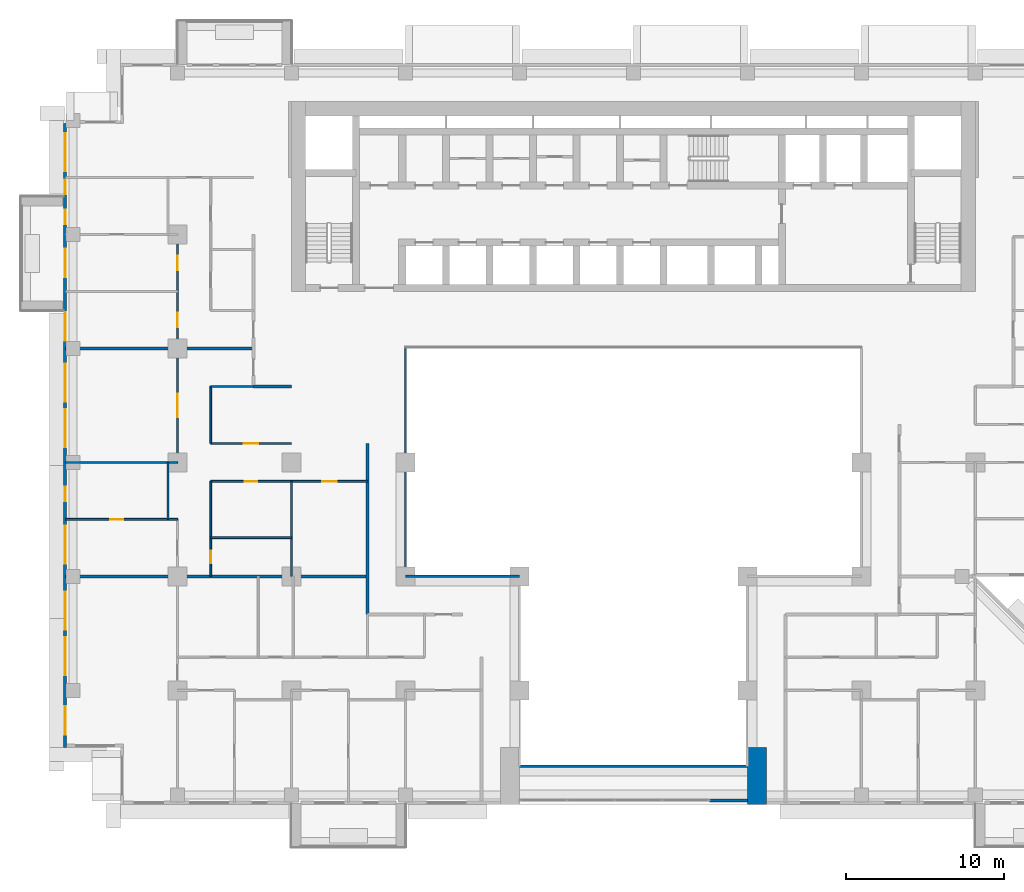
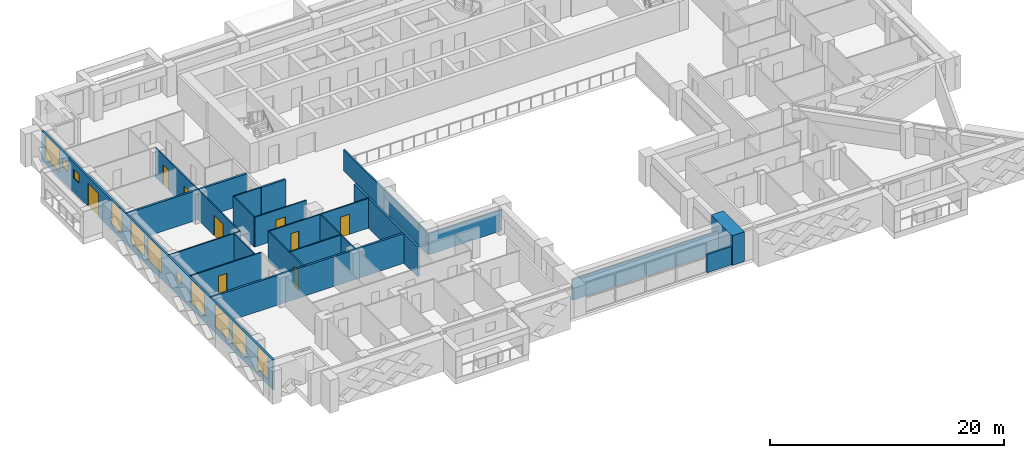
# One storey, part 7 of 17: 21 walls, 11 windows, 9 doors, 20 openings.
"""IFC4 building model written with IfcOpenShell, lengths in metres."""

from ifc_helpers import new_model, si_unit, direction, frame, frame_2d, origin, place, context, subcontext, project, spatial, rectangle, extrude, material, layer, layer_set, type_object, element, fill, save


model = new_model("IFC4")

# Units and contexts
model_context = context("Model", 3, precision=1e-05, world=origin(), true_north=direction((0.0, 1.0)))
body_context = subcontext(model_context, "Body", "Model", "MODEL_VIEW")
ifc_project = project(units=[si_unit("LENGTHUNIT", "METRE"), si_unit("AREAUNIT", "SQUARE_METRE"), si_unit("VOLUMEUNIT", "CUBIC_METRE"), si_unit("PLANEANGLEUNIT", "RADIAN"), si_unit("MASSUNIT", "GRAM", prefix="KILO")], contexts=[model_context])

# Site, building, storey
site_placement = place(None, origin())
site = spatial("IfcSite", under=ifc_project, at=site_placement, CompositionType="ELEMENT")
building_placement = place(site_placement, origin())
building = spatial("IfcBuilding", under=site, at=building_placement, Name="Saffron Iwan Residences", CompositionType="ELEMENT")
storey_placement = place(building_placement, frame((0.0, 0.0, 104.0)))
storey = spatial("IfcBuildingStorey", under=building, at=storey_placement, Name="L27", CompositionType="ELEMENT", Elevation=104.0)

# Walls
ifc_material_1 = material(Name="Fire-rated glazing", Category="glass")
ifc_layer_1 = layer(ifc_material_1, 0.14990234375)
ifc_layer_set_1 = layer_set([ifc_layer_1], Name="Fire-rated glazing")
wall_type_1 = type_object("IfcWallType", Name="Atrium glazed screen 150", PredefinedType="SOLIDWALL", material=ifc_layer_set_1)
wall_1_placement = place(storey_placement, frame((43.199951171875, 36.0, 0.0), z_axis=(0.0, 0.0, 1.0), x_axis=(1.0, 0.0, 0.0)))
element("IfcWall", 1, at=wall_1_placement, inside=storey, type_object=wall_type_1, Name="W-L27-SCREEN-h36-43.2", PredefinedType="SOLIDWALL", context=body_context, shape_type="SweptSolid", body=[
    extrude(rectangle(XDim=14.400146484375, YDim=0.14990234375, at=frame_2d((7.2001953125, 0.0))), origin(), (0.0, 0.0, 1.0), 2.199951171875),
])
wall_2_placement = place(storey_placement, frame((36.0, 48.0, 0.0), z_axis=(0.0, 0.0, 1.0), x_axis=(1.0, 0.0, 0.0)))
element("IfcWall", 2, at=wall_2_placement, inside=storey, type_object=wall_type_1, Name="W-L27-SCREEN-h48-36", PredefinedType="SOLIDWALL", context=body_context, shape_type="SweptSolid", body=[
    extrude(rectangle(XDim=7.199951171875, YDim=0.14990234375, at=frame_2d((3.60009765625, 0.0))), origin(), (0.0, 0.0, 1.0), 2.199951171875),
])
wall_3_placement = place(storey_placement, frame((36.0, 48.0, 0.0), z_axis=(0.0, 0.0, 1.0), x_axis=(0.0, 1.0, 0.0)))
element("IfcWall", 3, at=wall_3_placement, inside=storey, type_object=wall_type_1, Name="W-L27-SCREEN-v36-48", PredefinedType="SOLIDWALL", context=body_context, shape_type="SweptSolid", body=[
    extrude(rectangle(XDim=14.39990234375, YDim=0.14990234375, at=frame_2d((7.199951171875, 0.0))), origin(), (0.0, 0.0, 1.0), 2.199951171875),
])

# Wall, openings, door, windows
ifc_material_2 = material(Name="Concrete C40/50", Category="concrete")
ifc_layer_2 = layer(ifc_material_2, 0.199951171875)
ifc_layer_set_2 = layer_set([ifc_layer_2], Name="Concrete C40/50")
wall_type_2 = type_object("IfcWallType", Name="EXTERNAL WALL 200", PredefinedType="SOLIDWALL", material=ifc_layer_set_2)
wall_4_placement = place(storey_placement, frame((14.5, 76.60009765625, 0.0), z_axis=(0.0, 0.0, 1.0), x_axis=(0.0, -1.0, 0.0)))
wall_4 = element("IfcWall", 4, at=wall_4_placement, inside=storey, type_object=wall_type_2, Name="External wall L27 F8.0", PredefinedType="SOLIDWALL", context=body_context, shape_type="SweptSolid", body=[
    extrude(rectangle(XDim=39.400146484375, YDim=0.199951171875, at=frame_2d((19.7001953125, 0.0))), origin(), (0.0, 0.0, 1.0), 3.10009765625),
])
opening_1_placement = place(wall_4_placement, frame((7.89990234375, 0.0, 0.0)))
opening_1 = element("IfcOpeningElement", 5, at=opening_1_placement, cuts=wall_4, Name="Opening BD1", PredefinedType="OPENING", context=body_context, shape_type="SweptSolid", body=[
    extrude(rectangle(XDim=1.800048828125, YDim=2.39990234375, at=frame_2d((0.89990234375, 1.199951171875))), frame((0.0, 0.10986328125, 0.0), z_axis=(0.0, -1.0, 0.0), x_axis=(1.0, 0.0, 0.0)), (0.0, 0.0, 1.0), 0.219970703125),
])
opening_2_placement = place(wall_4_placement, frame((29.566650390625, 0.0, 0.60009765625)))
opening_2 = element("IfcOpeningElement", 6, at=opening_2_placement, cuts=wall_4, Name="Opening W1", PredefinedType="OPENING", context=body_context, shape_type="SweptSolid", body=[
    extrude(rectangle(XDim=2.39990234375, YDim=2.39990234375, at=frame_2d((1.199951171875, 1.199951171875))), frame((0.0, 0.10986328125, 0.0), z_axis=(0.0, -1.0, 0.0), x_axis=(1.0, 0.0, 0.0)), (0.0, 0.0, 1.0), 0.219970703125),
])
opening_3_placement = place(wall_4_placement, frame((32.433349609375, 0.0, 0.60009765625)))
opening_3 = element("IfcOpeningElement", 7, at=opening_3_placement, cuts=wall_4, Name="Opening W1", PredefinedType="OPENING", context=body_context, shape_type="SweptSolid", body=[
    extrude(rectangle(XDim=2.39990234375, YDim=2.39990234375, at=frame_2d((1.199951171875, 1.199951171875))), frame((0.0, 0.10986328125, 0.0), z_axis=(0.0, -1.0, 0.0), x_axis=(1.0, 0.0, 0.0)), (0.0, 0.0, 1.0), 0.219970703125),
])
opening_4_placement = place(wall_4_placement, frame((36.800048828125, 0.0, 0.60009765625)))
opening_4 = element("IfcOpeningElement", 8, at=opening_4_placement, cuts=wall_4, Name="Opening W8", PredefinedType="OPENING", context=body_context, shape_type="SweptSolid", body=[
    extrude(rectangle(XDim=1.800048828125, YDim=2.39990234375, at=frame_2d((0.89990234375, 1.199951171875))), frame((0.0, 0.10986328125, 0.0), z_axis=(0.0, -1.0, 0.0), x_axis=(1.0, 0.0, 0.0)), (0.0, 0.0, 1.0), 0.219970703125),
])
opening_5_placement = place(wall_4_placement, frame((25.39990234375, 0.0, 0.60009765625)))
opening_5 = element("IfcOpeningElement", 9, at=opening_5_placement, cuts=wall_4, Name="Opening W1", PredefinedType="OPENING", context=body_context, shape_type="SweptSolid", body=[
    extrude(rectangle(XDim=2.39990234375, YDim=2.39990234375, at=frame_2d((1.199951171875, 1.199951171875))), frame((0.0, 0.10986328125, 0.0), z_axis=(0.0, -1.0, 0.0), x_axis=(1.0, 0.0, 0.0)), (0.0, 0.0, 1.0), 0.219970703125),
])
opening_6_placement = place(wall_4_placement, frame((22.949951171875, 0.0, 1.5)))
opening_6 = element("IfcOpeningElement", 10, at=opening_6_placement, cuts=wall_4, Name="Opening W6", PredefinedType="OPENING", context=body_context, shape_type="SweptSolid", body=[
    extrude(rectangle(XDim=0.89990234375, YDim=0.89990234375, at=frame_2d((0.449951171875, 0.449951171875))), frame((0.0, 0.10986328125, 0.0), z_axis=(0.0, -1.0, 0.0), x_axis=(1.0, 0.0, 0.0)), (0.0, 0.0, 1.0), 0.219970703125),
])
opening_7_placement = place(wall_4_placement, frame((15.166748046875, 0.0, 0.60009765625)))
opening_7 = element("IfcOpeningElement", 11, at=opening_7_placement, cuts=wall_4, Name="Opening W1", PredefinedType="OPENING", context=body_context, shape_type="SweptSolid", body=[
    extrude(rectangle(XDim=2.39990234375, YDim=2.39990234375, at=frame_2d((1.199951171875, 1.199951171875))), frame((0.0, 0.10986328125, 0.0), z_axis=(0.0, -1.0, 0.0), x_axis=(1.0, 0.0, 0.0)), (0.0, 0.0, 1.0), 0.219970703125),
])
opening_8_placement = place(wall_4_placement, frame((18.033203125, 0.0, 0.60009765625)))
opening_8 = element("IfcOpeningElement", 12, at=opening_8_placement, cuts=wall_4, Name="Opening W1", PredefinedType="OPENING", context=body_context, shape_type="SweptSolid", body=[
    extrude(rectangle(XDim=2.39990234375, YDim=2.39990234375, at=frame_2d((1.199951171875, 1.199951171875))), frame((0.0, 0.10986328125, 0.0), z_axis=(0.0, -1.0, 0.0), x_axis=(1.0, 0.0, 0.0)), (0.0, 0.0, 1.0), 0.219970703125),
])
opening_9_placement = place(wall_4_placement, frame((11.89990234375, 0.0, 0.60009765625)))
opening_9 = element("IfcOpeningElement", 13, at=opening_9_placement, cuts=wall_4, Name="Opening W8", PredefinedType="OPENING", context=body_context, shape_type="SweptSolid", body=[
    extrude(rectangle(XDim=1.800048828125, YDim=2.39990234375, at=frame_2d((0.89990234375, 1.199951171875))), frame((0.0, 0.10986328125, 0.0), z_axis=(0.0, -1.0, 0.0), x_axis=(1.0, 0.0, 0.0)), (0.0, 0.0, 1.0), 0.219970703125),
])
opening_10_placement = place(wall_4_placement, frame((3.550048828125, 0.0, 1.5)))
opening_10 = element("IfcOpeningElement", 14, at=opening_10_placement, cuts=wall_4, Name="Opening W6", PredefinedType="OPENING", context=body_context, shape_type="SweptSolid", body=[
    extrude(rectangle(XDim=0.89990234375, YDim=0.89990234375, at=frame_2d((0.449951171875, 0.449951171875))), frame((0.0, 0.10986328125, 0.0), z_axis=(0.0, -1.0, 0.0), x_axis=(1.0, 0.0, 0.0)), (0.0, 0.0, 1.0), 0.219970703125),
])
opening_11_placement = place(wall_4_placement, frame((5.449951171875, 0.0, 1.5)))
opening_11 = element("IfcOpeningElement", 15, at=opening_11_placement, cuts=wall_4, Name="Opening W6", PredefinedType="OPENING", context=body_context, shape_type="SweptSolid", body=[
    extrude(rectangle(XDim=0.89990234375, YDim=0.89990234375, at=frame_2d((0.449951171875, 0.449951171875))), frame((0.0, 0.10986328125, 0.0), z_axis=(0.0, -1.0, 0.0), x_axis=(1.0, 0.0, 0.0)), (0.0, 0.0, 1.0), 0.219970703125),
])
opening_12_placement = place(wall_4_placement, frame((0.60009765625, 0.0, 0.60009765625)))
opening_12 = element("IfcOpeningElement", 16, at=opening_12_placement, cuts=wall_4, Name="Opening W1", PredefinedType="OPENING", context=body_context, shape_type="SweptSolid", body=[
    extrude(rectangle(XDim=2.39990234375, YDim=2.39990234375, at=frame_2d((1.199951171875, 1.199951171875))), frame((0.0, 0.10986328125, 0.0), z_axis=(0.0, -1.0, 0.0), x_axis=(1.0, 0.0, 0.0)), (0.0, 0.0, 1.0), 0.219970703125),
])
ifc_material_3 = material(Name="Clear glass, laminated double glazed", Category="glass")
door_type_1 = type_object("IfcDoorType", Name="BALCONY DOOR 1800 x 2400", OperationType="DOUBLE_DOOR_SLIDING", PredefinedType="DOOR", material=ifc_material_3)
door_1_placement = place(opening_1_placement, origin())
door_1 = element("IfcDoor", 17, at=door_1_placement, inside=storey, type_object=door_type_1, Name="Balcony door L27 F8.0", OperationType="DOUBLE_DOOR_SLIDING", OverallHeight=2.39990234375, OverallWidth=1.800048828125, PredefinedType="DOOR", context=body_context, shape_type="SweptSolid", body=[
    extrude(rectangle(XDim=1.800048828125, YDim=2.39990234375, at=frame_2d((0.89990234375, 1.199951171875))), frame((0.0, 0.02490234375, 0.0), z_axis=(0.0, -1.0, 0.0), x_axis=(1.0, 0.0, 0.0)), (0.0, 0.0, 1.0), 0.050048828125),
])
fill(opening_1, door_1)
window_type_1 = type_object("IfcWindowType", Name="WINDOW 1800 x 2400", PartitioningType="DOUBLE_PANEL_VERTICAL", PredefinedType="WINDOW", material=ifc_material_3)
window_1_placement = place(opening_4_placement, origin())
window_1 = element("IfcWindow", 18, at=window_1_placement, inside=storey, type_object=window_type_1, Name="Window L27 F8.3", OverallHeight=2.39990234375, OverallWidth=1.800048828125, PartitioningType="DOUBLE_PANEL_VERTICAL", PredefinedType="WINDOW", context=body_context, shape_type="SweptSolid", body=[
    extrude(rectangle(XDim=1.800048828125, YDim=2.39990234375, at=frame_2d((0.89990234375, 1.199951171875))), frame((0.0, 0.030029296875, 0.0), z_axis=(0.0, -1.0, 0.0), x_axis=(1.0, 0.0, 0.0)), (0.0, 0.0, 1.0), 0.06005859375),
])
fill(opening_4, window_1)
window_2_placement = place(opening_9_placement, origin())
window_2 = element("IfcWindow", 19, at=window_2_placement, inside=storey, type_object=window_type_1, Name="Window L27 F8.8", OverallHeight=2.39990234375, OverallWidth=1.800048828125, PartitioningType="DOUBLE_PANEL_VERTICAL", PredefinedType="WINDOW", context=body_context, shape_type="SweptSolid", body=[
    extrude(rectangle(XDim=1.800048828125, YDim=2.39990234375, at=frame_2d((0.89990234375, 1.199951171875))), frame((0.0, 0.030029296875, 0.0), z_axis=(0.0, -1.0, 0.0), x_axis=(1.0, 0.0, 0.0)), (0.0, 0.0, 1.0), 0.06005859375),
])
fill(opening_9, window_2)
window_type_2 = type_object("IfcWindowType", Name="WINDOW 2400 x 2400", PartitioningType="DOUBLE_PANEL_VERTICAL", PredefinedType="WINDOW", material=ifc_material_3)
window_3_placement = place(opening_2_placement, origin())
window_3 = element("IfcWindow", 20, at=window_3_placement, inside=storey, type_object=window_type_2, Name="Window L27 F8.1", OverallHeight=2.39990234375, OverallWidth=2.39990234375, PartitioningType="DOUBLE_PANEL_VERTICAL", PredefinedType="WINDOW", context=body_context, shape_type="SweptSolid", body=[
    extrude(rectangle(XDim=2.39990234375, YDim=2.39990234375, at=frame_2d((1.199951171875, 1.199951171875))), frame((0.0, 0.030029296875, 0.0), z_axis=(0.0, -1.0, 0.0), x_axis=(1.0, 0.0, 0.0)), (0.0, 0.0, 1.0), 0.06005859375),
])
fill(opening_2, window_3)
window_4_placement = place(opening_3_placement, origin())
window_4 = element("IfcWindow", 21, at=window_4_placement, inside=storey, type_object=window_type_2, Name="Window L27 F8.2", OverallHeight=2.39990234375, OverallWidth=2.39990234375, PartitioningType="DOUBLE_PANEL_VERTICAL", PredefinedType="WINDOW", context=body_context, shape_type="SweptSolid", body=[
    extrude(rectangle(XDim=2.39990234375, YDim=2.39990234375, at=frame_2d((1.199951171875, 1.199951171875))), frame((0.0, 0.030029296875, 0.0), z_axis=(0.0, -1.0, 0.0), x_axis=(1.0, 0.0, 0.0)), (0.0, 0.0, 1.0), 0.06005859375),
])
fill(opening_3, window_4)
window_5_placement = place(opening_5_placement, origin())
window_5 = element("IfcWindow", 22, at=window_5_placement, inside=storey, type_object=window_type_2, Name="Window L27 F8.4", OverallHeight=2.39990234375, OverallWidth=2.39990234375, PartitioningType="DOUBLE_PANEL_VERTICAL", PredefinedType="WINDOW", context=body_context, shape_type="SweptSolid", body=[
    extrude(rectangle(XDim=2.39990234375, YDim=2.39990234375, at=frame_2d((1.199951171875, 1.199951171875))), frame((0.0, 0.030029296875, 0.0), z_axis=(0.0, -1.0, 0.0), x_axis=(1.0, 0.0, 0.0)), (0.0, 0.0, 1.0), 0.06005859375),
])
fill(opening_5, window_5)
window_6_placement = place(opening_7_placement, origin())
window_6 = element("IfcWindow", 23, at=window_6_placement, inside=storey, type_object=window_type_2, Name="Window L27 F8.6", OverallHeight=2.39990234375, OverallWidth=2.39990234375, PartitioningType="DOUBLE_PANEL_VERTICAL", PredefinedType="WINDOW", context=body_context, shape_type="SweptSolid", body=[
    extrude(rectangle(XDim=2.39990234375, YDim=2.39990234375, at=frame_2d((1.199951171875, 1.199951171875))), frame((0.0, 0.030029296875, 0.0), z_axis=(0.0, -1.0, 0.0), x_axis=(1.0, 0.0, 0.0)), (0.0, 0.0, 1.0), 0.06005859375),
])
fill(opening_7, window_6)
window_7_placement = place(opening_8_placement, origin())
window_7 = element("IfcWindow", 24, at=window_7_placement, inside=storey, type_object=window_type_2, Name="Window L27 F8.7", OverallHeight=2.39990234375, OverallWidth=2.39990234375, PartitioningType="DOUBLE_PANEL_VERTICAL", PredefinedType="WINDOW", context=body_context, shape_type="SweptSolid", body=[
    extrude(rectangle(XDim=2.39990234375, YDim=2.39990234375, at=frame_2d((1.199951171875, 1.199951171875))), frame((0.0, 0.030029296875, 0.0), z_axis=(0.0, -1.0, 0.0), x_axis=(1.0, 0.0, 0.0)), (0.0, 0.0, 1.0), 0.06005859375),
])
fill(opening_8, window_7)
window_8_placement = place(opening_12_placement, origin())
window_8 = element("IfcWindow", 25, at=window_8_placement, inside=storey, type_object=window_type_2, Name="Window L27 F8.11", OverallHeight=2.39990234375, OverallWidth=2.39990234375, PartitioningType="DOUBLE_PANEL_VERTICAL", PredefinedType="WINDOW", context=body_context, shape_type="SweptSolid", body=[
    extrude(rectangle(XDim=2.39990234375, YDim=2.39990234375, at=frame_2d((1.199951171875, 1.199951171875))), frame((0.0, 0.030029296875, 0.0), z_axis=(0.0, -1.0, 0.0), x_axis=(1.0, 0.0, 0.0)), (0.0, 0.0, 1.0), 0.06005859375),
])
fill(opening_12, window_8)
window_type_3 = type_object("IfcWindowType", Name="WINDOW 900 x 900 BATH", PartitioningType="SINGLE_PANEL", PredefinedType="WINDOW", material=ifc_material_3)
window_9_placement = place(opening_6_placement, origin())
window_9 = element("IfcWindow", 26, at=window_9_placement, inside=storey, type_object=window_type_3, Name="Window L27 F8.5", OverallHeight=0.89990234375, OverallWidth=0.89990234375, PartitioningType="SINGLE_PANEL", PredefinedType="WINDOW", context=body_context, shape_type="SweptSolid", body=[
    extrude(rectangle(XDim=0.89990234375, YDim=0.89990234375, at=frame_2d((0.449951171875, 0.449951171875))), frame((0.0, 0.030029296875, 0.0), z_axis=(0.0, -1.0, 0.0), x_axis=(1.0, 0.0, 0.0)), (0.0, 0.0, 1.0), 0.06005859375),
])
fill(opening_6, window_9)
window_10_placement = place(opening_10_placement, origin())
window_10 = element("IfcWindow", 27, at=window_10_placement, inside=storey, type_object=window_type_3, Name="Window L27 F8.9", OverallHeight=0.89990234375, OverallWidth=0.89990234375, PartitioningType="SINGLE_PANEL", PredefinedType="WINDOW", context=body_context, shape_type="SweptSolid", body=[
    extrude(rectangle(XDim=0.89990234375, YDim=0.89990234375, at=frame_2d((0.449951171875, 0.449951171875))), frame((0.0, 0.030029296875, 0.0), z_axis=(0.0, -1.0, 0.0), x_axis=(1.0, 0.0, 0.0)), (0.0, 0.0, 1.0), 0.06005859375),
])
fill(opening_10, window_10)
window_11_placement = place(opening_11_placement, origin())
window_11 = element("IfcWindow", 28, at=window_11_placement, inside=storey, type_object=window_type_3, Name="Window L27 F8.10", OverallHeight=0.89990234375, OverallWidth=0.89990234375, PartitioningType="SINGLE_PANEL", PredefinedType="WINDOW", context=body_context, shape_type="SweptSolid", body=[
    extrude(rectangle(XDim=0.89990234375, YDim=0.89990234375, at=frame_2d((0.449951171875, 0.449951171875))), frame((0.0, 0.030029296875, 0.0), z_axis=(0.0, -1.0, 0.0), x_axis=(1.0, 0.0, 0.0)), (0.0, 0.0, 1.0), 0.06005859375),
])
fill(opening_11, window_11)

# Walls
wall_5_placement = place(storey_placement, frame((55.199951171875, 33.85009765625, 0.0), z_axis=(0.0, 0.0, 1.0), x_axis=(1.0, 0.0, 0.0)))
element("IfcWall", 29, at=wall_5_placement, inside=storey, type_object=wall_type_2, Name="External wall infill CWB-L27-0", PredefinedType="SOLIDWALL", context=body_context, shape_type="SweptSolid", body=[
    extrude(rectangle(XDim=2.400146484375, YDim=0.199951171875, at=frame_2d((1.2001953125, 0.0))), origin(), (0.0, 0.0, 1.0), 1.89990234375),
])
ifc_material_4 = material(Name="Fire-rated gypsum board wall")
ifc_layer_3 = layer(ifc_material_4, 0.199951171875)
ifc_layer_set_3 = layer_set([ifc_layer_3], Name="Fire-rated gypsum board wall")
wall_type_3 = type_object("IfcWallType", Name="Flat demising wall 200", PredefinedType="SOLIDWALL", material=ifc_layer_set_3)
wall_6_placement = place(storey_placement, frame((14.52490234375, 48.0, 0.0), z_axis=(0.0, 0.0, 1.0), x_axis=(1.0, 0.0, 0.0)))
element("IfcWall", 30, at=wall_6_placement, inside=storey, type_object=wall_type_3, Name="W-L27-DEMISE-h48-14.525", PredefinedType="SOLIDWALL", context=body_context, shape_type="SweptSolid", body=[
    extrude(rectangle(XDim=19.0751953125, YDim=0.199951171875, at=frame_2d((9.53759765625, 0.0))), origin(), (0.0, 0.0, 1.0), 3.10009765625),
])
wall_7_placement = place(storey_placement, frame((14.52490234375, 62.39990234375, 0.0), z_axis=(0.0, 0.0, 1.0), x_axis=(1.0, 0.0, 0.0)))
element("IfcWall", 31, at=wall_7_placement, inside=storey, type_object=wall_type_3, Name="W-L27-DEMISE-h62.4-14.525", PredefinedType="SOLIDWALL", context=body_context, shape_type="SweptSolid", body=[
    extrude(rectangle(XDim=11.875, YDim=0.199951171875, at=frame_2d((5.9375, 0.0))), origin(), (0.0, 0.0, 1.0), 3.10009765625),
])
ifc_material_5 = material(Name="Gypsum board partition")
ifc_layer_4 = layer(ifc_material_5, 0.1201171875)
ifc_layer_set_4 = layer_set([ifc_layer_4], Name="Gypsum board partition")
wall_type_4 = type_object("IfcWallType", Name="Flat partition 120", PredefinedType="PARTITIONING", material=ifc_layer_set_4)
wall_8_placement = place(storey_placement, frame((23.699951171875, 50.449951171875, 0.0), z_axis=(0.0, 0.0, 1.0), x_axis=(1.0, 0.0, 0.0)))
element("IfcWall", 32, at=wall_8_placement, inside=storey, type_object=wall_type_4, Name="W-L27-PART-h50.45-23.7", PredefinedType="PARTITIONING", context=body_context, shape_type="SweptSolid", body=[
    extrude(rectangle(XDim=5.10009765625, YDim=0.1201171875, at=frame_2d((2.550048828125, 0.0))), origin(), (0.0, 0.0, 1.0), 3.10009765625),
])

# Wall, opening, door
wall_9_placement = place(storey_placement, frame((14.52490234375, 51.60009765625, 0.0), z_axis=(0.0, 0.0, 1.0), x_axis=(1.0, 0.0, 0.0)))
wall_9 = element("IfcWall", 33, at=wall_9_placement, inside=storey, type_object=wall_type_4, Name="W-L27-PART-h51.6-14.525", PredefinedType="PARTITIONING", context=body_context, shape_type="SweptSolid", body=[
    extrude(rectangle(XDim=7.0751953125, YDim=0.1201171875, at=frame_2d((3.53759765625, 0.0))), origin(), (0.0, 0.0, 1.0), 3.10009765625),
])
opening_13_placement = place(wall_9_placement, frame((2.83740234375, 0.0, 0.0)))
opening_13 = element("IfcOpeningElement", 34, at=opening_13_placement, cuts=wall_9, Name="Opening FD3", PredefinedType="OPENING", context=body_context, shape_type="SweptSolid", body=[
    extrude(rectangle(XDim=0.800048828125, YDim=2.10009765625, at=frame_2d((0.39990234375, 1.050048828125))), frame((0.0, 0.070068359375, 0.0), z_axis=(0.0, -1.0, 0.0), x_axis=(1.0, 0.0, 0.0)), (0.0, 0.0, 1.0), 0.14013671875),
])
ifc_material_6 = material(Name="Timber door", Category="wood")
door_type_2 = type_object("IfcDoorType", Name="Bathroom door 800", OperationType="NOTDEFINED", PredefinedType="DOOR", material=ifc_material_6)
door_2_placement = place(opening_13_placement, origin())
door_2 = element("IfcDoor", 35, at=door_2_placement, inside=storey, type_object=door_type_2, Name="Door L27-014", OperationType="SINGLE_SWING_LEFT", OverallHeight=2.10009765625, OverallWidth=0.800048828125, PredefinedType="DOOR", context=body_context, shape_type="SweptSolid", body=[
    extrude(rectangle(XDim=0.800048828125, YDim=2.10009765625, at=frame_2d((0.39990234375, 1.050048828125))), frame((0.0, 0.02490234375, 0.0), z_axis=(0.0, -1.0, 0.0), x_axis=(1.0, 0.0, 0.0)), (0.0, 0.0, 1.0), 0.050048828125),
])
fill(opening_13, door_2)

# Wall, openings, doors
wall_10_placement = place(storey_placement, frame((23.699951171875, 54.0, 0.0), z_axis=(0.0, 0.0, 1.0), x_axis=(1.0, 0.0, 0.0)))
wall_10 = element("IfcWall", 36, at=wall_10_placement, inside=storey, type_object=wall_type_4, Name="W-L27-PART-h54-23.7", PredefinedType="PARTITIONING", context=body_context, shape_type="SweptSolid", body=[
    extrude(rectangle(XDim=9.900146484375, YDim=0.1201171875, at=frame_2d((4.9501953125, 0.0))), origin(), (0.0, 0.0, 1.0), 3.10009765625),
])
opening_14_placement = place(wall_10_placement, frame((2.14990234375, 0.0, 0.0)))
opening_14 = element("IfcOpeningElement", 37, at=opening_14_placement, cuts=wall_10, Name="Opening FD3", PredefinedType="OPENING", context=body_context, shape_type="SweptSolid", body=[
    extrude(rectangle(XDim=0.800048828125, YDim=2.10009765625, at=frame_2d((0.39990234375, 1.050048828125))), frame((0.0, 0.070068359375, 0.0), z_axis=(0.0, -1.0, 0.0), x_axis=(1.0, 0.0, 0.0)), (0.0, 0.0, 1.0), 0.14013671875),
])
opening_15_placement = place(wall_10_placement, frame((7.050048828125, 0.0, 0.0)))
opening_15 = element("IfcOpeningElement", 38, at=opening_15_placement, cuts=wall_10, Name="Opening FD2", PredefinedType="OPENING", context=body_context, shape_type="SweptSolid", body=[
    extrude(rectangle(XDim=0.89990234375, YDim=2.10009765625, at=frame_2d((0.449951171875, 1.050048828125))), frame((0.0, 0.070068359375, 0.0), z_axis=(0.0, -1.0, 0.0), x_axis=(1.0, 0.0, 0.0)), (0.0, 0.0, 1.0), 0.14013671875),
])
door_3_placement = place(opening_14_placement, origin())
door_3 = element("IfcDoor", 39, at=door_3_placement, inside=storey, type_object=door_type_2, Name="Door L27-017", OperationType="SINGLE_SWING_LEFT", OverallHeight=2.10009765625, OverallWidth=0.800048828125, PredefinedType="DOOR", context=body_context, shape_type="SweptSolid", body=[
    extrude(rectangle(XDim=0.800048828125, YDim=2.10009765625, at=frame_2d((0.39990234375, 1.050048828125))), frame((0.0, 0.02490234375, 0.0), z_axis=(0.0, -1.0, 0.0), x_axis=(1.0, 0.0, 0.0)), (0.0, 0.0, 1.0), 0.050048828125),
])
fill(opening_14, door_3)
door_type_3 = type_object("IfcDoorType", Name="Flat door 900", OperationType="NOTDEFINED", PredefinedType="DOOR", material=ifc_material_6)
door_4_placement = place(opening_15_placement, origin())
door_4 = element("IfcDoor", 40, at=door_4_placement, inside=storey, type_object=door_type_3, Name="Door L27-019", OperationType="SINGLE_SWING_RIGHT", OverallHeight=2.10009765625, OverallWidth=0.89990234375, PredefinedType="DOOR", context=body_context, shape_type="SweptSolid", body=[
    extrude(rectangle(XDim=0.89990234375, YDim=2.10009765625, at=frame_2d((0.449951171875, 1.050048828125))), frame((0.0, 0.02490234375, 0.0), z_axis=(0.0, -1.0, 0.0), x_axis=(1.0, 0.0, 0.0)), (0.0, 0.0, 1.0), 0.050048828125),
])
fill(opening_15, door_4)

# Wall
wall_11_placement = place(storey_placement, frame((14.52490234375, 55.199951171875, 0.0), z_axis=(0.0, 0.0, 1.0), x_axis=(1.0, 0.0, 0.0)))
element("IfcWall", 41, at=wall_11_placement, inside=storey, type_object=wall_type_4, Name="W-L27-PART-h55.2-14.525", PredefinedType="PARTITIONING", context=body_context, shape_type="SweptSolid", body=[
    extrude(rectangle(XDim=7.0751953125, YDim=0.1201171875, at=frame_2d((3.53759765625, 0.0))), origin(), (0.0, 0.0, 1.0), 3.10009765625),
])

# Wall, opening, door
wall_12_placement = place(storey_placement, frame((23.699951171875, 56.39990234375, 0.0), z_axis=(0.0, 0.0, 1.0), x_axis=(1.0, 0.0, 0.0)))
wall_12 = element("IfcWall", 42, at=wall_12_placement, inside=storey, type_object=wall_type_4, Name="W-L27-PART-h56.4-23.7", PredefinedType="PARTITIONING", context=body_context, shape_type="SweptSolid", body=[
    extrude(rectangle(XDim=5.10009765625, YDim=0.1201171875, at=frame_2d((2.550048828125, 0.0))), origin(), (0.0, 0.0, 1.0), 3.10009765625),
])
opening_16_placement = place(wall_12_placement, frame((2.10009765625, 0.0, 0.0)))
opening_16 = element("IfcOpeningElement", 43, at=opening_16_placement, cuts=wall_12, Name="Opening FD2", PredefinedType="OPENING", context=body_context, shape_type="SweptSolid", body=[
    extrude(rectangle(XDim=0.89990234375, YDim=2.10009765625, at=frame_2d((0.449951171875, 1.050048828125))), frame((0.0, 0.070068359375, 0.0), z_axis=(0.0, -1.0, 0.0), x_axis=(1.0, 0.0, 0.0)), (0.0, 0.0, 1.0), 0.14013671875),
])
door_5_placement = place(opening_16_placement, origin())
door_5 = element("IfcDoor", 44, at=door_5_placement, inside=storey, type_object=door_type_3, Name="Door L27-018", OperationType="SINGLE_SWING_LEFT", OverallHeight=2.10009765625, OverallWidth=0.89990234375, PredefinedType="DOOR", context=body_context, shape_type="SweptSolid", body=[
    extrude(rectangle(XDim=0.89990234375, YDim=2.10009765625, at=frame_2d((0.449951171875, 1.050048828125))), frame((0.0, 0.02490234375, 0.0), z_axis=(0.0, -1.0, 0.0), x_axis=(1.0, 0.0, 0.0)), (0.0, 0.0, 1.0), 0.050048828125),
])
fill(opening_16, door_5)

# Walls
wall_13_placement = place(storey_placement, frame((23.699951171875, 60.0, 0.0), z_axis=(0.0, 0.0, 1.0), x_axis=(1.0, 0.0, 0.0)))
element("IfcWall", 45, at=wall_13_placement, inside=storey, type_object=wall_type_4, Name="W-L27-PART-h60-23.7", PredefinedType="PARTITIONING", context=body_context, shape_type="SweptSolid", body=[
    extrude(rectangle(XDim=2.699951171875, YDim=0.1201171875, at=frame_2d((1.35009765625, 0.0))), origin(), (0.0, 0.0, 1.0), 3.10009765625),
])
wall_14_placement = place(storey_placement, frame((21.0, 51.60009765625, 0.0), z_axis=(0.0, 0.0, 1.0), x_axis=(0.0, 1.0, 0.0)))
element("IfcWall", 46, at=wall_14_placement, inside=storey, type_object=wall_type_4, Name="W-L27-PART-v21-51.6", PredefinedType="PARTITIONING", context=body_context, shape_type="SweptSolid", body=[
    extrude(rectangle(XDim=3.599853515625, YDim=0.1201171875, at=frame_2d((1.7998046875, 0.0))), origin(), (0.0, 0.0, 1.0), 3.10009765625),
])

# Wall, openings, doors
wall_15_placement = place(storey_placement, frame((21.60009765625, 55.199951171875, 0.0), z_axis=(0.0, 0.0, 1.0), x_axis=(0.0, 1.0, 0.0)))
wall_15 = element("IfcWall", 47, at=wall_15_placement, inside=storey, type_object=wall_type_4, Name="W-L27-PART-v21.6-55.2", PredefinedType="PARTITIONING", context=body_context, shape_type="SweptSolid", body=[
    extrude(rectangle(XDim=14.400146484375, YDim=0.1201171875, at=frame_2d((7.2001953125, 0.0))), origin(), (0.0, 0.0, 1.0), 3.10009765625),
])
opening_17_placement = place(wall_15_placement, frame((2.85009765625, 0.0, 0.0)))
opening_17 = element("IfcOpeningElement", 48, at=opening_17_placement, cuts=wall_15, Name="Opening FD4", PredefinedType="OPENING", context=body_context, shape_type="SweptSolid", body=[
    extrude(rectangle(XDim=1.5, YDim=2.10009765625, at=frame_2d((0.75, 1.050048828125))), frame((0.0, 0.070068359375, 0.0), z_axis=(0.0, -1.0, 0.0), x_axis=(1.0, 0.0, 0.0)), (0.0, 0.0, 1.0), 0.14013671875),
])
opening_18_placement = place(wall_15_placement, frame((8.550048828125, 0.0, 0.0)))
opening_18 = element("IfcOpeningElement", 49, at=opening_18_placement, cuts=wall_15, Name="Opening FD2", PredefinedType="OPENING", context=body_context, shape_type="SweptSolid", body=[
    extrude(rectangle(XDim=0.89990234375, YDim=2.10009765625, at=frame_2d((0.449951171875, 1.050048828125))), frame((0.0, 0.070068359375, 0.0), z_axis=(0.0, -1.0, 0.0), x_axis=(1.0, 0.0, 0.0)), (0.0, 0.0, 1.0), 0.14013671875),
])
opening_19_placement = place(wall_15_placement, frame((12.14990234375, 0.0, 0.0)))
opening_19 = element("IfcOpeningElement", 50, at=opening_19_placement, cuts=wall_15, Name="Opening FD2", PredefinedType="OPENING", context=body_context, shape_type="SweptSolid", body=[
    extrude(rectangle(XDim=0.89990234375, YDim=2.10009765625, at=frame_2d((0.449951171875, 1.050048828125))), frame((0.0, 0.070068359375, 0.0), z_axis=(0.0, -1.0, 0.0), x_axis=(1.0, 0.0, 0.0)), (0.0, 0.0, 1.0), 0.14013671875),
])
door_type_4 = type_object("IfcDoorType", Name="Double door 1500", OperationType="NOTDEFINED", PredefinedType="DOOR", material=ifc_material_6)
door_6_placement = place(opening_17_placement, origin())
door_6 = element("IfcDoor", 51, at=door_6_placement, inside=storey, type_object=door_type_4, Name="Door L27-015", OperationType="SINGLE_SWING_LEFT", OverallHeight=2.10009765625, OverallWidth=1.5, PredefinedType="DOOR", context=body_context, shape_type="SweptSolid", body=[
    extrude(rectangle(XDim=1.5, YDim=2.10009765625, at=frame_2d((0.75, 1.050048828125))), frame((0.0, 0.02490234375, 0.0), z_axis=(0.0, -1.0, 0.0), x_axis=(1.0, 0.0, 0.0)), (0.0, 0.0, 1.0), 0.050048828125),
])
fill(opening_17, door_6)
door_7_placement = place(opening_18_placement, origin())
door_7 = element("IfcDoor", 52, at=door_7_placement, inside=storey, type_object=door_type_3, Name="Door L27-029", OperationType="SINGLE_SWING_LEFT", OverallHeight=2.10009765625, OverallWidth=0.89990234375, PredefinedType="DOOR", context=body_context, shape_type="SweptSolid", body=[
    extrude(rectangle(XDim=0.89990234375, YDim=2.10009765625, at=frame_2d((0.449951171875, 1.050048828125))), frame((0.0, 0.02490234375, 0.0), z_axis=(0.0, -1.0, 0.0), x_axis=(1.0, 0.0, 0.0)), (0.0, 0.0, 1.0), 0.050048828125),
])
fill(opening_18, door_7)
door_8_placement = place(opening_19_placement, origin())
door_8 = element("IfcDoor", 53, at=door_8_placement, inside=storey, type_object=door_type_3, Name="Door L27-030", OperationType="SINGLE_SWING_LEFT", OverallHeight=2.10009765625, OverallWidth=0.89990234375, PredefinedType="DOOR", context=body_context, shape_type="SweptSolid", body=[
    extrude(rectangle(XDim=0.89990234375, YDim=2.10009765625, at=frame_2d((0.449951171875, 1.050048828125))), frame((0.0, 0.02490234375, 0.0), z_axis=(0.0, -1.0, 0.0), x_axis=(1.0, 0.0, 0.0)), (0.0, 0.0, 1.0), 0.050048828125),
])
fill(opening_19, door_8)

# Wall, opening, door
wall_16_placement = place(storey_placement, frame((23.699951171875, 48.0, 0.0), z_axis=(0.0, 0.0, 1.0), x_axis=(0.0, 1.0, 0.0)))
wall_16 = element("IfcWall", 54, at=wall_16_placement, inside=storey, type_object=wall_type_4, Name="W-L27-PART-v23.7-48", PredefinedType="PARTITIONING", context=body_context, shape_type="SweptSolid", body=[
    extrude(rectangle(XDim=6.0, YDim=0.1201171875, at=frame_2d((3.0, 0.0))), origin(), (0.0, 0.0, 1.0), 3.10009765625),
])
opening_20_placement = place(wall_16_placement, frame((0.824951171875, 0.0, 0.0)))
opening_20 = element("IfcOpeningElement", 55, at=opening_20_placement, cuts=wall_16, Name="Opening FD3", PredefinedType="OPENING", context=body_context, shape_type="SweptSolid", body=[
    extrude(rectangle(XDim=0.800048828125, YDim=2.10009765625, at=frame_2d((0.39990234375, 1.050048828125))), frame((0.0, 0.070068359375, 0.0), z_axis=(0.0, -1.0, 0.0), x_axis=(1.0, 0.0, 0.0)), (0.0, 0.0, 1.0), 0.14013671875),
])
door_9_placement = place(opening_20_placement, origin())
door_9 = element("IfcDoor", 56, at=door_9_placement, inside=storey, type_object=door_type_2, Name="Door L27-016", OperationType="SINGLE_SWING_RIGHT", OverallHeight=2.10009765625, OverallWidth=0.800048828125, PredefinedType="DOOR", context=body_context, shape_type="SweptSolid", body=[
    extrude(rectangle(XDim=0.800048828125, YDim=2.10009765625, at=frame_2d((0.39990234375, 1.050048828125))), frame((0.0, 0.02490234375, 0.0), z_axis=(0.0, -1.0, 0.0), x_axis=(1.0, 0.0, 0.0)), (0.0, 0.0, 1.0), 0.050048828125),
])
fill(opening_20, door_9)

# Walls
wall_17_placement = place(storey_placement, frame((23.699951171875, 56.39990234375, 0.0), z_axis=(0.0, 0.0, 1.0), x_axis=(0.0, 1.0, 0.0)))
element("IfcWall", 57, at=wall_17_placement, inside=storey, type_object=wall_type_4, Name="W-L27-PART-v23.7-56.4", PredefinedType="PARTITIONING", context=body_context, shape_type="SweptSolid", body=[
    extrude(rectangle(XDim=3.60009765625, YDim=0.1201171875, at=frame_2d((1.800048828125, 0.0))), origin(), (0.0, 0.0, 1.0), 3.10009765625),
])
wall_18_placement = place(storey_placement, frame((28.800048828125, 48.0, 0.0), z_axis=(0.0, 0.0, 1.0), x_axis=(0.0, 1.0, 0.0)))
element("IfcWall", 58, at=wall_18_placement, inside=storey, type_object=wall_type_4, Name="W-L27-PART-v28.8-48", PredefinedType="PARTITIONING", context=body_context, shape_type="SweptSolid", body=[
    extrude(rectangle(XDim=6.0, YDim=0.1201171875, at=frame_2d((3.0, 0.0))), origin(), (0.0, 0.0, 1.0), 3.10009765625),
])
ifc_layer_5 = layer(ifc_material_4, 0.199951171875)
ifc_layer_set_5 = layer_set([ifc_layer_5], Name="Fire-rated gypsum board wall")
wall_type_5 = type_object("IfcWallType", Name="Gallery wall 200", PredefinedType="SOLIDWALL", material=ifc_layer_set_5)
wall_19_placement = place(storey_placement, frame((26.39990234375, 60.0, 0.0), z_axis=(0.0, 0.0, 1.0), x_axis=(1.0, 0.0, 0.0)))
element("IfcWall", 59, at=wall_19_placement, inside=storey, type_object=wall_type_5, Name="W-L27-CORR-h60-26.4", PredefinedType="SOLIDWALL", context=body_context, shape_type="SweptSolid", body=[
    extrude(rectangle(XDim=2.400146484375, YDim=0.199951171875, at=frame_2d((1.2001953125, 0.0))), origin(), (0.0, 0.0, 1.0), 3.10009765625),
])
wall_20_placement = place(storey_placement, frame((33.60009765625, 45.60009765625, 0.0), z_axis=(0.0, 0.0, 1.0), x_axis=(0.0, 1.0, 0.0)))
element("IfcWall", 60, at=wall_20_placement, inside=storey, type_object=wall_type_5, Name="W-L27-CORR-v33.6-45.6", PredefinedType="SOLIDWALL", context=body_context, shape_type="SweptSolid", body=[
    extrude(rectangle(XDim=10.7998046875, YDim=0.199951171875, at=frame_2d((5.39990234375, 0.0))), origin(), (0.0, 0.0, 1.0), 3.10009765625),
])
ifc_material_7 = material(Name="Concrete C60/75", Category="concrete")
ifc_layer_6 = layer(ifc_material_7, 1.199951171875)
ifc_layer_set_6 = layer_set([ifc_layer_6], Name="Concrete C60/75")
wall_type_6 = type_object("IfcWallType", Name="WALL IWAN PIER 1200 C60/75 3100 HIGH", PredefinedType="SHEAR", material=ifc_layer_set_6)
wall_21_placement = place(storey_placement, frame((58.199951171875, 33.60009765625, 0.0), z_axis=(0.0, 0.0, 1.0), x_axis=(0.0, 1.0, 0.0)))
element("IfcWall", 61, at=wall_21_placement, inside=storey, type_object=wall_type_6, Name="IWAN PIER", PredefinedType="SHEAR", context=body_context, shape_type="SweptSolid", body=[
    extrude(rectangle(XDim=3.599853515625, YDim=1.199951171875, at=frame_2d((1.7998046875, 0.0))), origin(), (0.0, 0.0, 1.0), 3.10009765625),
])

save(model, "model.ifc")
